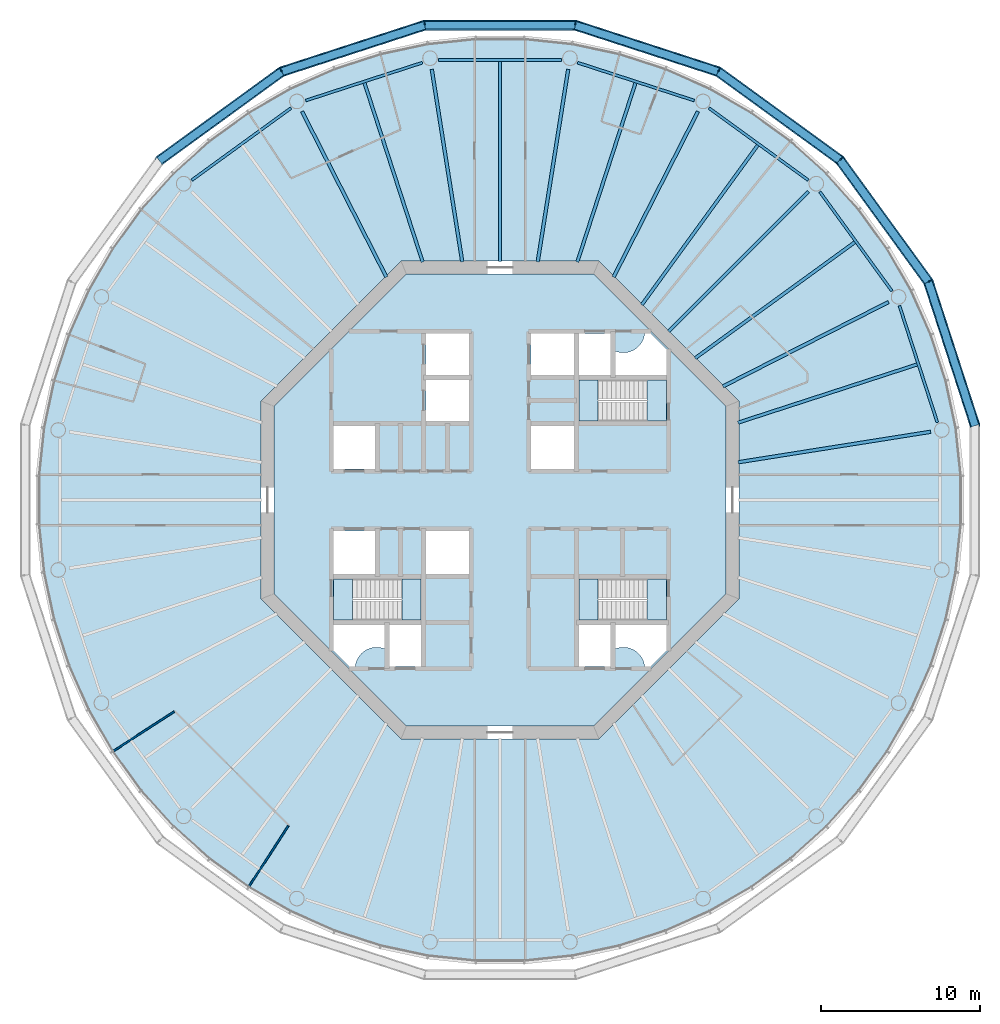
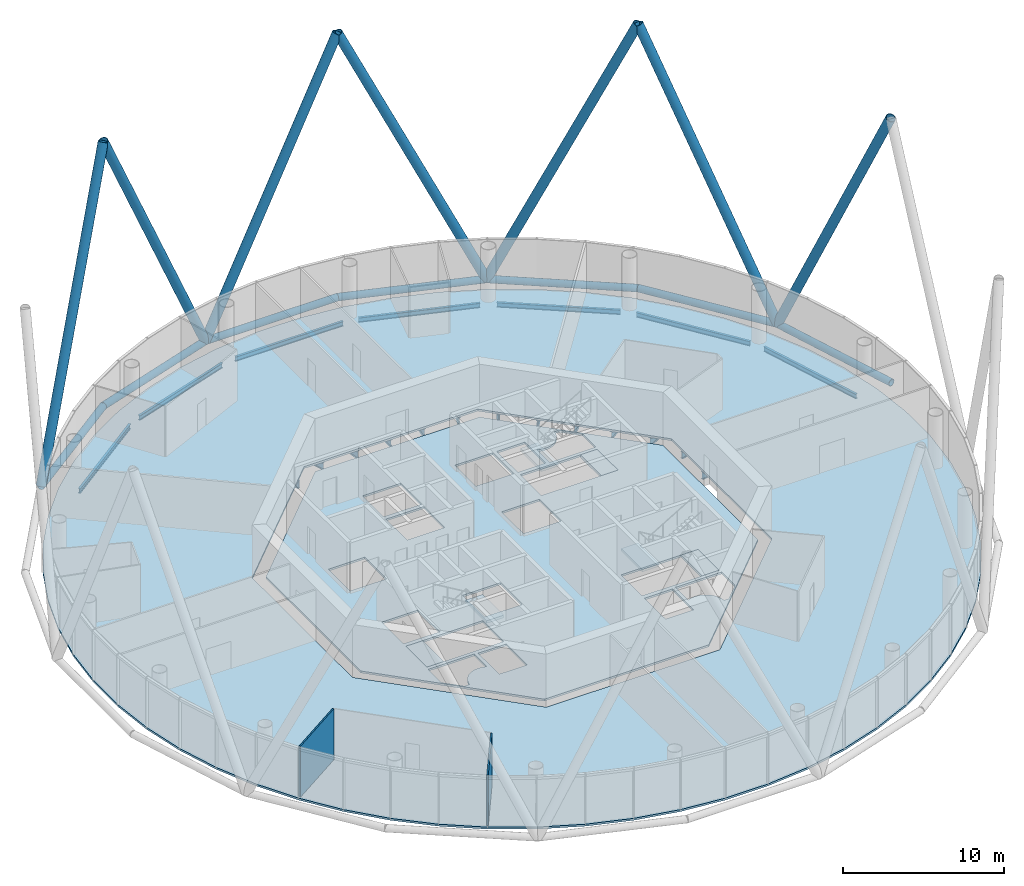
# One storey, part 2 of 13: 20 beams, 14 members, 8 slabs, 2 walls, 3 elements without a shape of their own.
"""IFC4 building model written with IfcOpenShell, lengths in metres."""

from ifc_helpers import new_model, si_unit, direction, frame, frame_2d, origin, origin_2d, place, context, subcontext, project, spatial, polyline, rectangle, circle, hollow_circle, i_section, outline, extrude, material, layer, layer_set, material_profile, profile_set, type_object, element, aggregate, save


model = new_model("IFC4")

# Units and contexts
model_context = context("Model", 3, precision=1e-05, world=origin(), true_north=direction((0.0, 1.0)))
body_context = subcontext(model_context, "Body", "Model", "MODEL_VIEW")
ifc_project = project(units=[si_unit("LENGTHUNIT", "METRE"), si_unit("AREAUNIT", "SQUARE_METRE"), si_unit("VOLUMEUNIT", "CUBIC_METRE"), si_unit("PLANEANGLEUNIT", "RADIAN"), si_unit("MASSUNIT", "GRAM", prefix="KILO")], contexts=[model_context])

# Site, building, storey
site_placement = place(None, origin())
site = spatial("IfcSite", under=ifc_project, at=site_placement, CompositionType="ELEMENT")
building_placement = place(site_placement, origin())
building = spatial("IfcBuilding", under=site, at=building_placement, Name="Entoto Ring Tower", CompositionType="ELEMENT")
storey_placement = place(building_placement, frame((0.0, 0.0, 274.0)))
storey = spatial("IfcBuildingStorey", under=building, at=storey_placement, Name="L62", CompositionType="ELEMENT", Elevation=274.0)

# Members
ifc_material_1 = material(Name="Steel S355", Category="steel")
ifc_material_profile_1 = material_profile(ifc_material_1, hollow_circle(Radius=0.324951171875, WallThickness=0.031982421875, at=origin_2d()), Name="CHS 650 x 32")
ifc_material_2 = material(Name="Concrete C60/75", Category="concrete")
ifc_material_profile_2 = material_profile(ifc_material_2, circle(Radius=0.29296875, at=origin_2d()), Name="Concrete C60/75 infill")
ifc_profile_set_1 = profile_set([ifc_material_profile_1, ifc_material_profile_2], Name="Steel S355")
member_type_1 = type_object("IfcMemberType", Name="Diagrid diagonal 650 x 32 concrete-filled tube", PredefinedType="BRACE", material=ifc_profile_set_1)
for number, where, z_axis, x_axis, name in (
    (1, (116.908447265625, 93.71044921875, 0.0), (0.131995385813, -0.406250870943, 0.904177774545), (0.951058940693, 0.309009532745, 0.0), "DG6 module 22 01"),
    (2, (116.908447265625, 93.71044921875, 0.0), (-0.2510759177, 0.345588098254, 0.904173517582), (-0.809026493198, -0.587772178061, 0.0), "DG6 module 22 02"),
    (3, (103.71044921875, 106.908447265625, 0.0), (0.345588098254, -0.2510759177, 0.904173517582), (0.587772178061, 0.809026493198, 0.0), "DG6 module 22 03"),
    (4, (103.71044921875, 106.908447265625, 0.0), (-0.406250870943, 0.131995385813, 0.904177774545), (-0.309009532745, -0.951058940693, 0.0), "DG6 module 22 04"),
    (5, (85.275634765625, 109.828125, 0.0), (0.427164734279, 0.0, 0.904173816137), (0.0, 1.0, 0.0), "DG6 module 22 05"),
    (6, (85.275634765625, 109.828125, 0.0), (-0.406250870943, -0.131995385813, 0.904177774545), (0.309009532745, -0.951058940693, 0.0), "DG6 module 22 06"),
    (7, (68.645263671875, 101.354736328125, 0.0), (0.345588098254, 0.2510759177, 0.904173517582), (-0.587772178061, 0.809026493198, 0.0), "DG6 module 22 07"),
):
    element("IfcMember", number, at=place(storey_placement, frame(where, z_axis=z_axis, x_axis=x_axis)), inside=storey, type_object=member_type_1, Name=name, PredefinedType="BRACE", context=body_context, shape_type="SweptSolid", body=[
        extrude(hollow_circle(Radius=0.324951171875, WallThickness=0.031982421875, at=origin_2d()), origin(), (0.0, 0.0, 1.0), 22.11962890625),
    ])
ifc_material_3 = material(Name="Steel S355", Category="steel")
ifc_material_profile_3 = material_profile(ifc_material_3, hollow_circle(Radius=0.25390625, WallThickness=0.030029296875, at=origin_2d()), Name="CHS 508 x 30")
ifc_material_4 = material(Name="Concrete C60/75", Category="concrete")
ifc_material_profile_4 = material_profile(ifc_material_4, circle(Radius=0.22412109375, at=origin_2d()), Name="Concrete C60/75 infill")
ifc_profile_set_2 = profile_set([ifc_material_profile_3, ifc_material_profile_4], Name="Steel S355")
member_type_2 = type_object("IfcMemberType", Name="Diagrid ring beam 508 x 30", PredefinedType="CHORD", material=ifc_profile_set_2)
for number, where, z_axis, x_axis, name in (
    (8, (116.94384765625, 93.661865234375, 0.0), (-0.587786303985, 0.809016230274, 0.0), (-0.809016230274, -0.587786303985, 0.0), "DR2 ring 21 01"),
    (9, (111.4033203125, 101.3193359375, 0.0), (-0.809016230274, 0.587786303985, 0.0), (-0.587786303985, -0.809016230274, 0.0), "DR2 ring 21 02"),
    (10, (103.767822265625, 106.889892578125, 0.0), (-0.951064250524, 0.308993189852, 0.0), (-0.308993189852, -0.951064250524, 0.0), "DR2 ring 21 03"),
):
    element("IfcMember", number, at=place(storey_placement, frame(where, z_axis=z_axis, x_axis=x_axis)), inside=storey, type_object=member_type_2, Name=name, PredefinedType="CHORD", context=body_context, shape_type="SweptSolid", body=[
        extrude(hollow_circle(Radius=0.25390625, WallThickness=0.030029296875, at=origin_2d()), origin(), (0.0, 0.0, 1.0), 9.569091796875),
    ])
member_placement = place(storey_placement, frame((94.78466796875, 109.828125, 0.0), z_axis=(-1.0, 0.0, 0.0), x_axis=(0.0, -1.0, 0.0)))
element("IfcMember", 11, at=member_placement, inside=storey, type_object=member_type_2, Name="DR2 ring 21 04", PredefinedType="CHORD", context=body_context, shape_type="SweptSolid", body=[
    extrude(hollow_circle(Radius=0.25390625, WallThickness=0.030029296875, at=origin_2d()), origin(), (0.0, 0.0, 1.0), 9.5693359375),
])
for number, where, z_axis, x_axis, name in (
    (12, (85.3330078125, 109.8466796875, 0.0), (-0.951064250524, -0.308993189852, 0.0), (0.308993189852, -0.951064250524, 0.0), "DR2 ring 21 05"),
    (13, (76.338134765625, 106.94384765625, 0.0), (-0.809016230274, -0.587786303985, 0.0), (0.587786303985, -0.809016230274, 0.0), "DR2 ring 21 06"),
    (14, (119.8466796875, 84.6669921875, 0.0), (-0.308993189852, 0.951064250524, 0.0), (-0.951064250524, -0.308993189852, 0.0), "DR2 ring 21 20"),
):
    element("IfcMember", number, at=place(storey_placement, frame(where, z_axis=z_axis, x_axis=x_axis)), inside=storey, type_object=member_type_2, Name=name, PredefinedType="CHORD", context=body_context, shape_type="SweptSolid", body=[
        extrude(hollow_circle(Radius=0.25390625, WallThickness=0.030029296875, at=origin_2d()), origin(), (0.0, 0.0, 1.0), 9.569091796875),
    ])

# Beams
ifc_material_5 = material(Name="Steel S355", Category="steel")
ifc_material_profile_5 = material_profile(ifc_material_5, i_section(OverallWidth=0.169921875, OverallDepth=0.360107421875, WebThickness=0.008056640625, FlangeThickness=0.0126953125, FilletRadius=0.01806640625, at=origin_2d()), Name="IPE 360")
ifc_profile_set_3 = profile_set([ifc_material_profile_5], Name="Steel S355")
beam_type_1 = type_object("IfcBeamType", Name="Edge beam IPE 360", PredefinedType="SPANDREL", material=ifc_profile_set_3)
beam_1_placement = place(storey_placement, frame((117.472900390625, 84.874755859375, -0.330078125), z_axis=(-0.309024469492, 0.95105408745, 0.0), x_axis=(-0.95105408745, -0.309024469492, 0.0)))
element("IfcBeam", 15, at=beam_1_placement, inside=storey, type_object=beam_type_1, Name="Edge beam L62 01", PredefinedType="SPANDREL", context=body_context, shape_type="SweptSolid", body=[
    extrude(i_section(OverallWidth=0.169921875, OverallDepth=0.360107421875, WebThickness=0.008056640625, FlangeThickness=0.0126953125, FilletRadius=0.01806640625, at=origin_2d()), origin(), (0.0, 0.0, 1.0), 7.706787109375),
])
for number, where, z_axis, x_axis, name in (
    (16, (114.621826171875, 93.125732421875, -0.330078125), (-0.587781735432, 0.809019549512, 0.0), (-0.809019549512, -0.587781735432, 0.0), "Edge beam L62 02"),
    (17, (109.36083984375, 100.091796875, -0.330078125), (-0.809019549512, 0.587781735432, 0.0), (-0.587781735432, -0.809019549512, 0.0), "Edge beam L62 03"),
):
    element("IfcBeam", number, at=place(storey_placement, frame(where, z_axis=z_axis, x_axis=x_axis)), inside=storey, type_object=beam_type_1, Name=name, PredefinedType="SPANDREL", context=body_context, shape_type="SweptSolid", body=[
        extrude(i_section(OverallWidth=0.169921875, OverallDepth=0.360107421875, WebThickness=0.008056640625, FlangeThickness=0.0126953125, FilletRadius=0.01806640625, at=origin_2d()), origin(), (0.0, 0.0, 1.0), 7.70703125),
    ])
beam_2_placement = place(storey_placement, frame((102.204345703125, 105.09130859375, -0.330078125), z_axis=(-0.95105408745, 0.309024469492, 0.0), x_axis=(-0.309024469492, -0.95105408745, 0.0)))
element("IfcBeam", 18, at=beam_2_placement, inside=storey, type_object=beam_type_1, Name="Edge beam L62 04", PredefinedType="SPANDREL", context=body_context, shape_type="SweptSolid", body=[
    extrude(i_section(OverallWidth=0.169921875, OverallDepth=0.360107421875, WebThickness=0.008056640625, FlangeThickness=0.0126953125, FilletRadius=0.01806640625, at=origin_2d()), origin(), (0.0, 0.0, 1.0), 7.706787109375),
])
beam_3_placement = place(storey_placement, frame((93.853515625, 107.634521484375, -0.330078125), z_axis=(-1.0, 0.0, 0.0), x_axis=(0.0, -1.0, 0.0)))
element("IfcBeam", 19, at=beam_3_placement, inside=storey, type_object=beam_type_1, Name="Edge beam L62 05", PredefinedType="SPANDREL", context=body_context, shape_type="SweptSolid", body=[
    extrude(i_section(OverallWidth=0.169921875, OverallDepth=0.360107421875, WebThickness=0.008056640625, FlangeThickness=0.0126953125, FilletRadius=0.01806640625, at=origin_2d()), origin(), (0.0, 0.0, 1.0), 7.70703125),
])
beam_4_placement = place(storey_placement, frame((85.125244140625, 107.472900390625, -0.330078125), z_axis=(-0.95105408745, -0.309024469492, 0.0), x_axis=(0.309024469492, -0.95105408745, 0.0)))
element("IfcBeam", 20, at=beam_4_placement, inside=storey, type_object=beam_type_1, Name="Edge beam L62 06", PredefinedType="SPANDREL", context=body_context, shape_type="SweptSolid", body=[
    extrude(i_section(OverallWidth=0.169921875, OverallDepth=0.360107421875, WebThickness=0.008056640625, FlangeThickness=0.0126953125, FilletRadius=0.01806640625, at=origin_2d()), origin(), (0.0, 0.0, 1.0), 7.706787109375),
])
beam_5_placement = place(storey_placement, frame((76.874267578125, 104.621826171875, -0.330078125), z_axis=(-0.809019549512, -0.587781735432, 0.0), x_axis=(0.587781735432, -0.809019549512, 0.0)))
element("IfcBeam", 21, at=beam_5_placement, inside=storey, type_object=beam_type_1, Name="Edge beam L62 07", PredefinedType="SPANDREL", context=body_context, shape_type="SweptSolid", body=[
    extrude(i_section(OverallWidth=0.169921875, OverallDepth=0.360107421875, WebThickness=0.008056640625, FlangeThickness=0.0126953125, FilletRadius=0.01806640625, at=origin_2d()), origin(), (0.0, 0.0, 1.0), 7.70703125),
])
ifc_material_6 = material(Name="Steel S355", Category="steel")
ifc_material_profile_6 = material_profile(ifc_material_6, i_section(OverallWidth=0.2099609375, OverallDepth=0.550048828125, WebThickness=0.010986328125, FlangeThickness=0.01708984375, FilletRadius=0.02392578125, at=origin_2d()), Name="IPE 550")
ifc_profile_set_4 = profile_set([ifc_material_profile_6], Name="Steel S355")
beam_type_2 = type_object("IfcBeamType", Name="Primary floor beam IPE 550", PredefinedType="BEAM", material=ifc_profile_set_4)
beam_6_placement = place(storey_placement, frame((104.9638671875, 82.3701171875, -0.425048828125), z_axis=(0.987688614269, 0.156432737122, 0.0), x_axis=(-0.156432737122, 0.987688614269, 0.0)))
element("IfcBeam", 22, at=beam_6_placement, inside=storey, type_object=beam_type_2, Name="Primary L62 R01", PredefinedType="BEAM", context=body_context, shape_type="SweptSolid", body=[
    extrude(i_section(OverallWidth=0.2099609375, OverallDepth=0.550048828125, WebThickness=0.010986328125, FlangeThickness=0.01708984375, FilletRadius=0.02392578125, at=origin_2d()), origin(), (0.0, 0.0, 1.0), 12.23876953125),
])
beam_7_placement = place(storey_placement, frame((104.004638671875, 87.1357421875, -0.425048828125), z_axis=(0.89100852552, 0.453986571883, 0.0), x_axis=(-0.453986571883, 0.89100852552, 0.0)))
element("IfcBeam", 23, at=beam_7_placement, inside=storey, type_object=beam_type_2, Name="Primary L62 R02", PredefinedType="BEAM", context=body_context, shape_type="SweptSolid", body=[
    extrude(i_section(OverallWidth=0.2099609375, OverallDepth=0.550048828125, WebThickness=0.010986328125, FlangeThickness=0.01708984375, FilletRadius=0.02392578125, at=origin_2d()), origin(), (0.0, 0.0, 1.0), 11.671142578125),
])
beam_8_placement = place(storey_placement, frame((100.592529296875, 90.592529296875, -0.425048828125), z_axis=(0.707106781187, 0.707106781187, 0.0), x_axis=(-0.707106781187, 0.707106781187, 0.0)))
element("IfcBeam", 24, at=beam_8_placement, inside=storey, type_object=beam_type_2, Name="Primary L62 R03", PredefinedType="BEAM", context=body_context, shape_type="SweptSolid", body=[
    extrude(i_section(OverallWidth=0.2099609375, OverallDepth=0.550048828125, WebThickness=0.010986328125, FlangeThickness=0.01708984375, FilletRadius=0.02392578125, at=origin_2d()), origin(), (0.0, 0.0, 1.0), 12.4091796875),
])
beam_9_placement = place(storey_placement, frame((97.1357421875, 94.004638671875, -0.425048828125), z_axis=(0.453986571883, 0.89100852552, 0.0), x_axis=(-0.89100852552, 0.453986571883, 0.0)))
element("IfcBeam", 25, at=beam_9_placement, inside=storey, type_object=beam_type_2, Name="Primary L62 R04", PredefinedType="BEAM", context=body_context, shape_type="SweptSolid", body=[
    extrude(i_section(OverallWidth=0.2099609375, OverallDepth=0.550048828125, WebThickness=0.010986328125, FlangeThickness=0.01708984375, FilletRadius=0.02392578125, at=origin_2d()), origin(), (0.0, 0.0, 1.0), 11.671142578125),
])
for number, where, z_axis, x_axis, name in (
    (26, (92.3701171875, 94.9638671875, -0.425048828125), (0.156432737122, 0.987688614269, 0.0), (-0.987688614269, 0.156432737122, 0.0), "Primary L62 R05"),
    (27, (87.6298828125, 94.9638671875, -0.425048828125), (-0.156432737122, 0.987688614269, 0.0), (-0.987688614269, -0.156432737122, 0.0), "Primary L62 R06"),
):
    element("IfcBeam", number, at=place(storey_placement, frame(where, z_axis=z_axis, x_axis=x_axis)), inside=storey, type_object=beam_type_2, Name=name, PredefinedType="BEAM", context=body_context, shape_type="SweptSolid", body=[
        extrude(i_section(OverallWidth=0.2099609375, OverallDepth=0.550048828125, WebThickness=0.010986328125, FlangeThickness=0.01708984375, FilletRadius=0.02392578125, at=origin_2d()), origin(), (0.0, 0.0, 1.0), 12.23876953125),
    ])
beam_10_placement = place(storey_placement, frame((82.8642578125, 94.004638671875, -0.425048828125), z_axis=(-0.453986571883, 0.89100852552, 0.0), x_axis=(-0.89100852552, -0.453986571883, 0.0)))
element("IfcBeam", 28, at=beam_10_placement, inside=storey, type_object=beam_type_2, Name="Primary L62 R07", PredefinedType="BEAM", context=body_context, shape_type="SweptSolid", body=[
    extrude(i_section(OverallWidth=0.2099609375, OverallDepth=0.550048828125, WebThickness=0.010986328125, FlangeThickness=0.01708984375, FilletRadius=0.02392578125, at=origin_2d()), origin(), (0.0, 0.0, 1.0), 11.671142578125),
])
ifc_material_7 = material(Name="Steel S355", Category="steel")
ifc_material_profile_7 = material_profile(ifc_material_7, i_section(OverallWidth=0.199951171875, OverallDepth=0.5, WebThickness=0.01025390625, FlangeThickness=0.01611328125, FilletRadius=0.02099609375, at=origin_2d()), Name="IPE 500")
ifc_profile_set_5 = profile_set([ifc_material_profile_7], Name="Steel S355")
beam_type_3 = type_object("IfcBeamType", Name="Secondary floor beam IPE 500", PredefinedType="JOIST", material=ifc_profile_set_5)
beam_11_placement = place(storey_placement, frame((104.9501953125, 84.857666015625, -0.39990234375), z_axis=(0.951060151001, 0.309005807676, 0.0), x_axis=(-0.309005807676, 0.951060151001, 0.0)))
element("IfcBeam", 29, at=beam_11_placement, inside=storey, type_object=beam_type_3, Name="Secondary beam L62 01", PredefinedType="JOIST", context=body_context, shape_type="SweptSolid", body=[
    extrude(i_section(OverallWidth=0.199951171875, OverallDepth=0.5, WebThickness=0.01025390625, FlangeThickness=0.01611328125, FilletRadius=0.02099609375, at=origin_2d()), origin(), (0.0, 0.0, 1.0), 11.829833984375),
])
for number, where, z_axis, x_axis, name in (
    (30, (102.257568359375, 88.905517578125, -0.39990234375), (0.809016992157, 0.587785255346, 0.0), (-0.587785255346, 0.809016992157, 0.0), "Secondary beam L62 02"),
    (31, (98.905517578125, 92.257568359375, -0.39990234375), (0.587785255346, 0.809016992157, 0.0), (-0.809016992157, 0.587785255346, 0.0), "Secondary beam L62 03"),
):
    element("IfcBeam", number, at=place(storey_placement, frame(where, z_axis=z_axis, x_axis=x_axis)), inside=storey, type_object=beam_type_3, Name=name, PredefinedType="JOIST", context=body_context, shape_type="SweptSolid", body=[
        extrude(i_section(OverallWidth=0.199951171875, OverallDepth=0.5, WebThickness=0.01025390625, FlangeThickness=0.01611328125, FilletRadius=0.02099609375, at=origin_2d()), origin(), (0.0, 0.0, 1.0), 12.3984375),
    ])
beam_12_placement = place(storey_placement, frame((94.857666015625, 94.9501953125, -0.39990234375), z_axis=(0.309005807676, 0.951060151001, 0.0), x_axis=(-0.951060151001, 0.309005807676, 0.0)))
element("IfcBeam", 32, at=beam_12_placement, inside=storey, type_object=beam_type_3, Name="Secondary beam L62 04", PredefinedType="JOIST", context=body_context, shape_type="SweptSolid", body=[
    extrude(i_section(OverallWidth=0.199951171875, OverallDepth=0.5, WebThickness=0.01025390625, FlangeThickness=0.01611328125, FilletRadius=0.02099609375, at=origin_2d()), origin(), (0.0, 0.0, 1.0), 11.829833984375),
])
beam_13_placement = place(storey_placement, frame((90.0, 94.97998046875, -0.39990234375), z_axis=(0.0, 1.0, 0.0), x_axis=(-1.0, 0.0, 0.0)))
element("IfcBeam", 33, at=beam_13_placement, inside=storey, type_object=beam_type_3, Name="Secondary beam L62 05", PredefinedType="JOIST", context=body_context, shape_type="SweptSolid", body=[
    extrude(i_section(OverallWidth=0.199951171875, OverallDepth=0.5, WebThickness=0.01025390625, FlangeThickness=0.01611328125, FilletRadius=0.02099609375, at=origin_2d()), origin(), (0.0, 0.0, 1.0), 12.569580078125),
])
beam_14_placement = place(storey_placement, frame((85.142333984375, 94.9501953125, -0.39990234375), z_axis=(-0.309005807676, 0.951060151001, 0.0), x_axis=(-0.951060151001, -0.309005807676, 0.0)))
element("IfcBeam", 34, at=beam_14_placement, inside=storey, type_object=beam_type_3, Name="Secondary beam L62 06", PredefinedType="JOIST", context=body_context, shape_type="SweptSolid", body=[
    extrude(i_section(OverallWidth=0.199951171875, OverallDepth=0.5, WebThickness=0.01025390625, FlangeThickness=0.01611328125, FilletRadius=0.02099609375, at=origin_2d()), origin(), (0.0, 0.0, 1.0), 11.829833984375),
])

# Slabs
ifc_material_8 = material(Name="Concrete C30/37", Category="concrete")
ifc_layer_1 = layer(ifc_material_8, 0.14990234375)
ifc_layer_set_1 = layer_set([ifc_layer_1], Name="Concrete C30/37")
slab_type_1 = type_object("IfcSlabType", Name="Composite floor slab 150 mm", PredefinedType="FLOOR", material=ifc_layer_set_1)
slab_1_placement = place(storey_placement, frame((0.0, 0.0, -0.14990234375)))
element("IfcSlab", 35, at=slab_1_placement, inside=storey, type_object=slab_type_1, Name="Floor slab L62", PredefinedType="FLOOR", context=body_context, shape_type="SweptSolid", body=[
    extrude(outline(polyline([(118.74169921875, 84.55224609375), (118.1083984375, 87.53173828125), (117.167236328125, 90.428466796875), (115.92822265625, 93.211181640625), (114.4052734375, 95.848876953125), (112.614990234375, 98.313232421875), (110.576904296875, 100.576904296875), (108.313232421875, 102.614990234375), (105.848876953125, 104.4052734375), (103.211181640625, 105.92822265625), (100.428466796875, 107.167236328125), (97.53173828125, 108.1083984375), (94.55224609375, 108.74169921875), (91.52294921875, 109.06005859375), (88.47705078125, 109.06005859375), (85.44775390625, 108.74169921875), (82.46826171875, 108.1083984375), (79.571533203125, 107.167236328125), (76.788818359375, 105.92822265625), (74.151123046875, 104.4052734375), (71.686767578125, 102.614990234375), (69.423095703125, 100.576904296875), (67.385009765625, 98.313232421875), (65.5947265625, 95.848876953125), (64.07177734375, 93.211181640625), (62.832763671875, 90.428466796875), (61.8916015625, 87.53173828125), (61.25830078125, 84.55224609375), (60.93994140625, 81.52294921875), (60.93994140625, 78.47705078125), (61.25830078125, 75.44775390625), (61.8916015625, 72.46826171875), (62.832763671875, 69.571533203125), (64.07177734375, 66.788818359375), (65.5947265625, 64.151123046875), (67.385009765625, 61.686767578125), (69.423095703125, 59.423095703125), (71.686767578125, 57.385009765625), (74.151123046875, 55.5947265625), (76.788818359375, 54.07177734375), (79.571533203125, 52.832763671875), (82.46826171875, 51.8916015625), (85.44775390625, 51.25830078125), (88.47705078125, 50.93994140625), (91.52294921875, 50.93994140625), (94.55224609375, 51.25830078125), (97.53173828125, 51.8916015625), (100.428466796875, 52.832763671875), (103.211181640625, 54.07177734375), (105.848876953125, 55.5947265625), (108.313232421875, 57.385009765625), (110.576904296875, 59.423095703125), (112.614990234375, 61.686767578125), (114.4052734375, 64.151123046875), (115.92822265625, 66.788818359375), (117.167236328125, 69.571533203125), (118.1083984375, 72.46826171875), (118.74169921875, 75.44775390625), (119.06005859375, 78.47705078125), (119.06005859375, 81.52294921875), (118.74169921875, 84.55224609375)]), holes=[polyline([(105.0, 73.786865234375), (105.0, 86.213134765625), (96.213134765625, 95.0), (83.786865234375, 95.0), (75.0, 86.213134765625), (75.0, 73.786865234375), (83.786865234375, 65.0), (96.213134765625, 65.0), (105.0, 73.786865234375)])]), origin(), (0.0, 0.0, 1.0), 0.14990234375),
])
ifc_material_9 = material(Name="Concrete C40/50", Category="concrete")
ifc_layer_2 = layer(ifc_material_9, 0.14990234375)
ifc_layer_set_2 = layer_set([ifc_layer_2], Name="Concrete C40/50")
slab_type_2 = type_object("IfcSlabType", Name="Core floor slab 150 mm reinforced concrete C40/50", PredefinedType="FLOOR", material=ifc_layer_set_2)
slab_2_placement = place(storey_placement, frame((0.0, 0.0, -0.14990234375)))
element("IfcSlab", 36, at=slab_2_placement, inside=storey, type_object=slab_type_2, Name="Core floor L62", PredefinedType="FLOOR", context=body_context, shape_type="SweptSolid", body=[
    extrude(outline(polyline([(104.199951171875, 74.1181640625), (104.199951171875, 85.8818359375), (95.8818359375, 94.199951171875), (84.1181640625, 94.199951171875), (75.800048828125, 85.8818359375), (75.800048828125, 74.1181640625), (84.1181640625, 65.800048828125), (95.8818359375, 65.800048828125), (104.199951171875, 74.1181640625)]), holes=[polyline([(100.449951171875, 84.949951171875), (100.449951171875, 87.550048828125), (94.949951171875, 87.550048828125), (94.949951171875, 84.949951171875), (100.449951171875, 84.949951171875)]), polyline([(85.050048828125, 72.449951171875), (85.050048828125, 75.050048828125), (79.550048828125, 75.050048828125), (79.550048828125, 72.449951171875), (85.050048828125, 72.449951171875)]), polyline([(100.449951171875, 72.449951171875), (100.449951171875, 75.050048828125), (94.949951171875, 75.050048828125), (94.949951171875, 72.449951171875), (100.449951171875, 72.449951171875)]), polyline([(94.949951171875, 90.449951171875), (94.949951171875, 87.85009765625), (96.949951171875, 87.85009765625), (96.949951171875, 90.449951171875), (94.949951171875, 90.449951171875)]), polyline([(94.949951171875, 72.14990234375), (94.949951171875, 69.550048828125), (96.949951171875, 69.550048828125), (96.949951171875, 72.14990234375), (94.949951171875, 72.14990234375)]), polyline([(83.050048828125, 72.14990234375), (83.050048828125, 69.550048828125), (85.050048828125, 69.550048828125), (85.050048828125, 72.14990234375), (83.050048828125, 72.14990234375)]), polyline([(79.550048828125, 81.949951171875), (82.14990234375, 81.949951171875), (82.14990234375, 84.64990234375), (79.550048828125, 84.64990234375), (79.550048828125, 81.949951171875)]), polyline([(79.550048828125, 75.35009765625), (82.14990234375, 75.35009765625), (82.14990234375, 78.050048828125), (79.550048828125, 78.050048828125), (79.550048828125, 75.35009765625)]), polyline([(91.949951171875, 87.85009765625), (94.64990234375, 87.85009765625), (94.64990234375, 90.449951171875), (91.949951171875, 90.449951171875), (91.949951171875, 87.85009765625)]), polyline([(91.949951171875, 81.949951171875), (94.64990234375, 81.949951171875), (94.64990234375, 84.64990234375), (91.949951171875, 84.64990234375), (91.949951171875, 81.949951171875)]), polyline([(85.35009765625, 75.35009765625), (88.050048828125, 75.35009765625), (88.050048828125, 78.050048828125), (85.35009765625, 78.050048828125), (85.35009765625, 75.35009765625)]), polyline([(85.35009765625, 84.949951171875), (88.050048828125, 84.949951171875), (88.050048828125, 87.550048828125), (85.35009765625, 87.550048828125), (85.35009765625, 84.949951171875)]), polyline([(85.35009765625, 87.85009765625), (88.050048828125, 87.85009765625), (88.050048828125, 90.449951171875), (85.35009765625, 90.449951171875), (85.35009765625, 87.85009765625)]), polyline([(97.199951171875, 89.368408203125), (97.199951171875, 87.800048828125), (100.5, 87.800048828125), (100.5, 89.4404296875), (99.4404296875, 90.5), (99.09521484375, 90.5), (99.093505859375, 90.4677734375), (99.07421875, 90.336669921875), (99.0419921875, 90.2080078125), (98.997314453125, 90.08349609375), (98.940673828125, 89.963623046875), (98.87255859375, 89.85009765625), (98.793701171875, 89.74365234375), (98.70458984375, 89.6455078125), (98.6064453125, 89.556396484375), (98.5, 89.4775390625), (98.386474609375, 89.409423828125), (98.2666015625, 89.352783203125), (98.141845703125, 89.30810546875), (98.013427734375, 89.27587890625), (97.88232421875, 89.256591796875), (97.75, 89.25), (97.61767578125, 89.256591796875), (97.486572265625, 89.27587890625), (97.358154296875, 89.30810546875), (97.2333984375, 89.352783203125), (97.199951171875, 89.368408203125)]), polyline([(80.5595703125, 69.5), (80.90478515625, 69.5), (80.906494140625, 69.5322265625), (80.92578125, 69.663330078125), (80.9580078125, 69.7919921875), (81.002685546875, 69.91650390625), (81.059326171875, 70.036376953125), (81.12744140625, 70.14990234375), (81.206298828125, 70.25634765625), (81.29541015625, 70.3544921875), (81.3935546875, 70.443603515625), (81.5, 70.5224609375), (81.613525390625, 70.590576171875), (81.7333984375, 70.647216796875), (81.858154296875, 70.69189453125), (81.986572265625, 70.72412109375), (82.11767578125, 70.743408203125), (82.25, 70.75), (82.38232421875, 70.743408203125), (82.513427734375, 70.72412109375), (82.641845703125, 70.69189453125), (82.7666015625, 70.647216796875), (82.800048828125, 70.631591796875), (82.800048828125, 72.199951171875), (79.5, 72.199951171875), (79.5, 70.5595703125), (80.5595703125, 69.5)]), polyline([(99.09521484375, 69.5), (99.4404296875, 69.5), (100.5, 70.5595703125), (100.5, 72.199951171875), (97.199951171875, 72.199951171875), (97.199951171875, 70.631591796875), (97.2333984375, 70.647216796875), (97.358154296875, 70.69189453125), (97.486572265625, 70.72412109375), (97.61767578125, 70.743408203125), (97.75, 70.75), (97.88232421875, 70.743408203125), (98.013427734375, 70.72412109375), (98.141845703125, 70.69189453125), (98.2666015625, 70.647216796875), (98.386474609375, 70.590576171875), (98.5, 70.5224609375), (98.6064453125, 70.443603515625), (98.70458984375, 70.3544921875), (98.793701171875, 70.25634765625), (98.87255859375, 70.14990234375), (98.940673828125, 70.036376953125), (98.997314453125, 69.91650390625), (99.0419921875, 69.7919921875), (99.07421875, 69.663330078125), (99.093505859375, 69.5322265625), (99.09521484375, 69.5)])]), origin(), (0.0, 0.0, 1.0), 0.14990234375),
])

# Stair, slabs
ifc_material_10 = material(Name="Concrete C40/50", Category="concrete")
stair_type = type_object("IfcStairType", Name="Exit stair 1200 mm dog-leg reinforced concrete", PredefinedType="HALF_TURN_STAIR", material=ifc_material_10)
stair_1_placement = place(storey_placement, origin())
stair_1 = element("IfcStair", 37, at=stair_1_placement, inside=storey, type_object=stair_type, Name="Exit stair 1", PredefinedType="HALF_TURN_STAIR")
ifc_material_11 = material(Name="Concrete C40/50", Category="concrete")
ifc_layer_3 = layer(ifc_material_11, 0.199951171875)
ifc_layer_set_3 = layer_set([ifc_layer_3], Name="Concrete C40/50")
slab_type_3 = type_object("IfcSlabType", Name="Stair landing 200 mm reinforced concrete", PredefinedType="LANDING", material=ifc_layer_set_3)
slab_3_placement = place(storey_placement, frame((0.0, 0.0, -0.199951171875)))
slab_3 = element("IfcSlab", 38, at=slab_3_placement, type_object=slab_type_3, Name="ST1 landing 1", PredefinedType="LANDING", context=body_context, shape_type="SweptSolid", body=[
    extrude(outline(polyline([(100.449951171875, 84.949951171875), (100.449951171875, 87.550048828125), (99.25, 87.550048828125), (99.25, 84.949951171875), (100.449951171875, 84.949951171875)])), origin(), (0.0, 0.0, 1.0), 0.199951171875),
])
slab_4_placement = place(storey_placement, frame((0.0, 0.0, 1.800048828125)))
slab_4 = element("IfcSlab", 39, at=slab_4_placement, type_object=slab_type_3, Name="ST1 landing 2", PredefinedType="LANDING", context=body_context, shape_type="SweptSolid", body=[
    extrude(outline(polyline([(94.949951171875, 84.949951171875), (96.169921875, 84.949951171875), (96.169921875, 87.550048828125), (94.949951171875, 87.550048828125), (94.949951171875, 84.949951171875)])), origin(), (0.0, 0.0, 1.0), 0.199951171875),
])
aggregate(stair_1, [slab_3, slab_4])

stair_2_placement = place(storey_placement, origin())
stair_2 = element("IfcStair", 40, at=stair_2_placement, inside=storey, type_object=stair_type, Name="Exit stair 2", PredefinedType="HALF_TURN_STAIR")
slab_5_placement = place(storey_placement, frame((0.0, 0.0, -0.199951171875)))
slab_5 = element("IfcSlab", 41, at=slab_5_placement, type_object=slab_type_3, Name="ST2 landing 1", PredefinedType="LANDING", context=body_context, shape_type="SweptSolid", body=[
    extrude(outline(polyline([(80.75, 72.449951171875), (80.75, 75.050048828125), (79.550048828125, 75.050048828125), (79.550048828125, 72.449951171875), (80.75, 72.449951171875)])), origin(), (0.0, 0.0, 1.0), 0.199951171875),
])
slab_6_placement = place(storey_placement, frame((0.0, 0.0, 1.800048828125)))
slab_6 = element("IfcSlab", 42, at=slab_6_placement, type_object=slab_type_3, Name="ST2 landing 2", PredefinedType="LANDING", context=body_context, shape_type="SweptSolid", body=[
    extrude(outline(polyline([(83.830078125, 72.449951171875), (85.050048828125, 72.449951171875), (85.050048828125, 75.050048828125), (83.830078125, 75.050048828125), (83.830078125, 72.449951171875)])), origin(), (0.0, 0.0, 1.0), 0.199951171875),
])
aggregate(stair_2, [slab_5, slab_6])

stair_3_placement = place(storey_placement, origin())
stair_3 = element("IfcStair", 43, at=stair_3_placement, inside=storey, type_object=stair_type, Name="Exit stair 3", PredefinedType="HALF_TURN_STAIR")
slab_7_placement = place(storey_placement, frame((0.0, 0.0, -0.199951171875)))
slab_7 = element("IfcSlab", 44, at=slab_7_placement, type_object=slab_type_3, Name="ST3 landing 1", PredefinedType="LANDING", context=body_context, shape_type="SweptSolid", body=[
    extrude(outline(polyline([(100.449951171875, 72.449951171875), (100.449951171875, 75.050048828125), (99.25, 75.050048828125), (99.25, 72.449951171875), (100.449951171875, 72.449951171875)])), origin(), (0.0, 0.0, 1.0), 0.199951171875),
])
slab_8_placement = place(storey_placement, frame((0.0, 0.0, 1.800048828125)))
slab_8 = element("IfcSlab", 45, at=slab_8_placement, type_object=slab_type_3, Name="ST3 landing 2", PredefinedType="LANDING", context=body_context, shape_type="SweptSolid", body=[
    extrude(outline(polyline([(94.949951171875, 72.449951171875), (96.169921875, 72.449951171875), (96.169921875, 75.050048828125), (94.949951171875, 75.050048828125), (94.949951171875, 72.449951171875)])), origin(), (0.0, 0.0, 1.0), 0.199951171875),
])
aggregate(stair_3, [slab_7, slab_8])

# Walls
ifc_material_12 = material(Name="Plasterboard on steel studs", Category="steel")
ifc_layer_4 = layer(ifc_material_12, 0.10009765625)
ifc_layer_set_4 = layer_set([ifc_layer_4], Name="Plasterboard on steel studs")
wall_type = type_object("IfcWallType", Name="Partition 100 mm plasterboard on steel studs", PredefinedType="PARTITIONING", material=ifc_layer_set_4)
for number, where, z_axis, x_axis, name in (
    (46, (65.72900390625, 64.238037109375, 0.0), (0.0, 0.0, 1.0), (0.838646674443, 0.544675826016, 0.0), "partition-L62-020"),
    (47, (74.238037109375, 55.72900390625, 0.0), (0.0, 0.0, 1.0), (0.544675826016, 0.838646674443, 0.0), "partition-L62-021"),
):
    element("IfcWall", number, at=place(storey_placement, frame(where, z_axis=z_axis, x_axis=x_axis)), inside=storey, type_object=wall_type, Name=name, PredefinedType="PARTITIONING", context=body_context, shape_type="SweptSolid", body=[
        extrude(rectangle(XDim=4.53125, YDim=0.10009765625, at=frame_2d((2.265625, 0.0))), origin(), (0.0, 0.0, 1.0), 3.85009765625),
    ])

save(model, "model.ifc")
